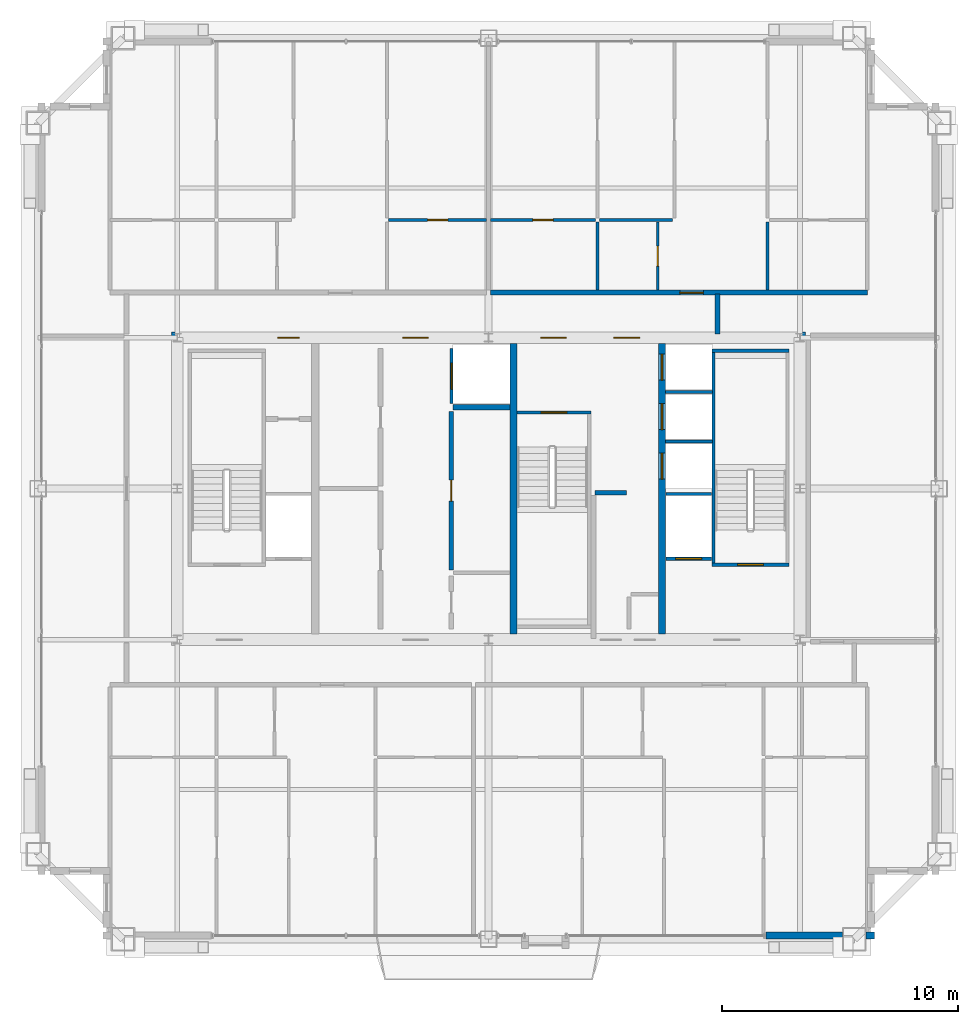
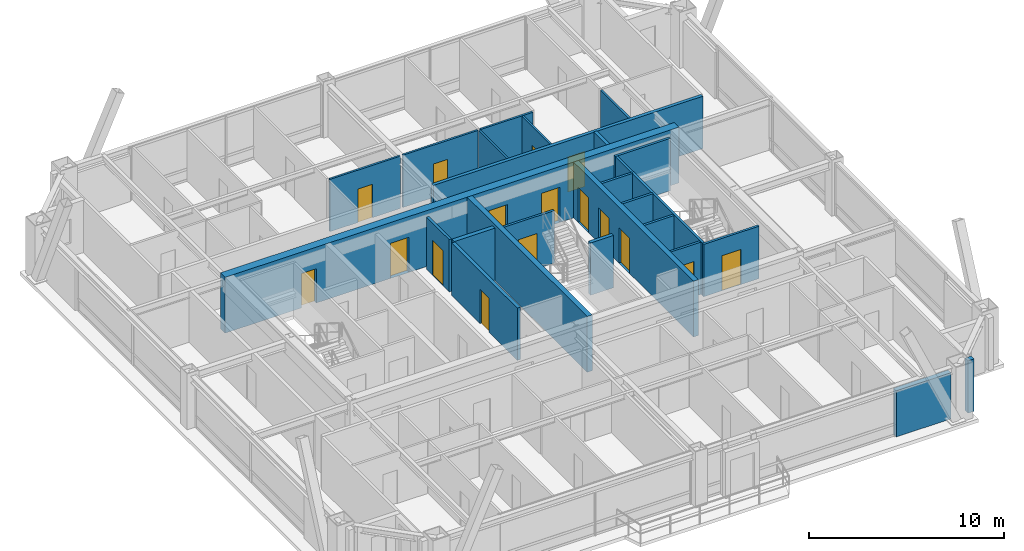
# One storey, part 32 of 35: 25 walls, 16 doors, 16 openings.
"""IFC4 building model written with IfcOpenShell, lengths in metres."""

from ifc_helpers import new_model, si_unit, direction, frame, frame_2d, origin, place, context, subcontext, project, spatial, rectangle, extrude, source, transform, mapped, material, layer, layer_set, type_object, element, fill, save


model = new_model("IFC4")

# Units and contexts
model_context = context("Model", 3, precision=1e-05, world=origin(), true_north=direction((0.0, 1.0)))
body_context = subcontext(model_context, "Body", "Model", "MODEL_VIEW")
ifc_project = project(units=[si_unit("LENGTHUNIT", "METRE"), si_unit("AREAUNIT", "SQUARE_METRE"), si_unit("VOLUMEUNIT", "CUBIC_METRE"), si_unit("PLANEANGLEUNIT", "RADIAN"), si_unit("MASSUNIT", "GRAM", prefix="KILO"), si_unit("THERMODYNAMICTEMPERATUREUNIT", "KELVIN"), si_unit("POWERUNIT", "WATT")], contexts=[model_context])

# Site, building, storey
site_placement = place(None, origin())
site = spatial("IfcSite", under=ifc_project, at=site_placement, CompositionType="ELEMENT")
building_placement = place(site_placement, origin())
building = spatial("IfcBuilding", under=site, at=building_placement, Name="Yuzanri Waterfront Tower", CompositionType="ELEMENT")
storey_placement = place(building_placement, frame((0.0, 0.0, 299.60009765625)))
storey = spatial("IfcBuildingStorey", under=building, at=storey_placement, Name="L80", CompositionType="ELEMENT", Elevation=299.60009765625)

# Wall, opening, door
ifc_material_1 = material(Name="Moisture-Resistant Gypsum Stud Wall", Category="gypsum")
ifc_layer_1 = layer(ifc_material_1, 0.1201171875)
ifc_layer_set_1 = layer_set([ifc_layer_1], Name="Moisture-Resistant Gypsum Stud Wall")
wall_type_1 = type_object("IfcWallType", Name="Bathroom and Kitchen Wet Partition 120", PredefinedType="PARTITIONING", material=ifc_layer_set_1)
wall_1_placement = place(storey_placement, frame((32.764892578125, 37.18994140625, 0.0), z_axis=(0.0, 0.0, 1.0), x_axis=(1.0, 0.0, 0.0)))
wall_1 = element("IfcWall", 1, at=wall_1_placement, inside=storey, type_object=wall_type_1, Name="L80 Partition UW-L80-HN1-SUB-3-N", PredefinedType="PARTITIONING", context=body_context, shape_type="SweptSolid", body=[
    extrude(rectangle(XDim=4.155029296875, YDim=0.1201171875, at=frame_2d((2.07763671875, 0.0))), origin(), (0.0, 0.0, 1.0), 3.27978515625),
])
opening_1_placement = place(wall_1_placement, frame((1.652587890625, 0.0, 0.0)))
opening_1 = element("IfcOpeningElement", 2, at=opening_1_placement, cuts=wall_1, Name="Opening ID-0850", PredefinedType="OPENING", context=body_context, shape_type="SweptSolid", body=[
    extrude(rectangle(XDim=0.85009765625, YDim=2.10009765625, at=frame_2d((0.425048828125, 1.050048828125))), frame((0.0, 0.074951171875, 0.0), z_axis=(0.0, -1.0, 0.0), x_axis=(1.0, 0.0, 0.0)), (0.0, 0.0, 1.0), 0.14990234375),
])
ifc_material_2 = material(Name="Moisture-Resistant Lacquered Timber", Category="wood")
door_type_1 = type_object("IfcDoorType", Name="En-Suite Bathroom and Kitchen Swing Door 850x2100", OperationType="NOTDEFINED", PredefinedType="DOOR", material=ifc_material_2)
shared_shape_1 = source(origin(), body_context, "Body", "SweptSolid", [
    extrude(rectangle(XDim=0.85009765625, YDim=2.10009765625, at=frame_2d((0.425048828125, 1.050048828125))), frame((0.0, 0.02490234375, 0.0), z_axis=(0.0, -1.0, 0.0), x_axis=(1.0, 0.0, 0.0)), (0.0, 0.0, 1.0), 0.050048828125),
])
door_1_placement = place(opening_1_placement, origin())
door_1 = element("IfcDoor", 3, at=door_1_placement, inside=storey, type_object=door_type_1, Name="L80 Suite Interior Room Door", OperationType="SINGLE_SWING_LEFT", OverallHeight=2.10009765625, OverallWidth=0.85009765625, PredefinedType="DOOR", context=body_context, shape_type="MappedRepresentation", body=[
    mapped(shared_shape_1, transform((0.0, 0.0, 0.0), scale=1.0)),
])
fill(opening_1, door_1)

wall_2_placement = place(storey_placement, frame((37.080078125, 37.18994140625, 0.0), z_axis=(0.0, 0.0, 1.0), x_axis=(1.0, 0.0, 0.0)))
wall_2 = element("IfcWall", 4, at=wall_2_placement, inside=storey, type_object=wall_type_1, Name="L80 Partition UW-L80-HN2-SUB-1-N", PredefinedType="PARTITIONING", context=body_context, shape_type="SweptSolid", body=[
    extrude(rectangle(XDim=4.449951171875, YDim=0.1201171875, at=frame_2d((2.22509765625, 0.0))), origin(), (0.0, 0.0, 1.0), 3.27978515625),
])
opening_2_placement = place(wall_2_placement, frame((1.800048828125, 0.0, 0.0)))
opening_2 = element("IfcOpeningElement", 5, at=opening_2_placement, cuts=wall_2, Name="Opening ID-0850", PredefinedType="OPENING", context=body_context, shape_type="SweptSolid", body=[
    extrude(rectangle(XDim=0.85009765625, YDim=2.10009765625, at=frame_2d((0.425048828125, 1.050048828125))), frame((0.0, 0.074951171875, 0.0), z_axis=(0.0, -1.0, 0.0), x_axis=(1.0, 0.0, 0.0)), (0.0, 0.0, 1.0), 0.14990234375),
])
door_2_placement = place(opening_2_placement, origin())
door_2 = element("IfcDoor", 6, at=door_2_placement, inside=storey, type_object=door_type_1, Name="L80 Suite Interior Room Door", OperationType="SINGLE_SWING_RIGHT", OverallHeight=2.10009765625, OverallWidth=0.85009765625, PredefinedType="DOOR", context=body_context, shape_type="MappedRepresentation", body=[
    mapped(shared_shape_1, transform((0.0, 0.0, 0.0), scale=1.0)),
])
fill(opening_2, door_2)

wall_3_placement = place(storey_placement, frame((44.169921875, 34.2099609375, 0.0), z_axis=(0.0, 0.0, 1.0), x_axis=(0.0, 1.0, 0.0)))
wall_3 = element("IfcWall", 7, at=wall_3_placement, inside=storey, type_object=wall_type_1, Name="L80 Partition UW-L80-HN2-SUB-2-E", PredefinedType="PARTITIONING", context=body_context, shape_type="SweptSolid", body=[
    extrude(rectangle(XDim=2.900146484375, YDim=0.1201171875, at=frame_2d((1.4501953125, 0.0))), origin(), (0.0, 0.0, 1.0), 3.27978515625),
])
opening_3_placement = place(wall_3_placement, frame((1.02490234375, 0.0, 0.0)))
opening_3 = element("IfcOpeningElement", 8, at=opening_3_placement, cuts=wall_3, Name="Opening ID-0850", PredefinedType="OPENING", context=body_context, shape_type="SweptSolid", body=[
    extrude(rectangle(XDim=0.85009765625, YDim=2.10009765625, at=frame_2d((0.425048828125, 1.050048828125))), frame((0.0, 0.074951171875, 0.0), z_axis=(0.0, -1.0, 0.0), x_axis=(1.0, 0.0, 0.0)), (0.0, 0.0, 1.0), 0.14990234375),
])
door_3_placement = place(opening_3_placement, origin())
door_3 = element("IfcDoor", 9, at=door_3_placement, inside=storey, type_object=door_type_1, Name="L80 Suite Interior Room Door", OperationType="SINGLE_SWING_LEFT", OverallHeight=2.10009765625, OverallWidth=0.85009765625, PredefinedType="DOOR", context=body_context, shape_type="MappedRepresentation", body=[
    mapped(shared_shape_1, transform((0.0, 0.0, 0.0), scale=1.0)),
])
fill(opening_3, door_3)

# Wall, openings, doors
ifc_material_3 = material(Name="Concrete C45", Category="concrete")
ifc_layer_2 = layer(ifc_material_3, 0.47998046875)
ifc_layer_set_2 = layer_set([ifc_layer_2], Name="Concrete C45")
wall_type_2 = type_object("IfcWallType", Name="Concrete C45 High-Rise Core Shear Wall 480", PredefinedType="SHEAR", material=ifc_layer_set_2)
wall_4_placement = place(storey_placement, frame((23.56005859375, 32.199951171875, 0.0), z_axis=(0.0, 0.0, 1.0), x_axis=(1.0, 0.0, 0.0)))
wall_4 = element("IfcWall", 10, at=wall_4_placement, inside=storey, type_object=wall_type_2, Name="L80 Core North Shear Wall", PredefinedType="SHEAR", context=body_context, shape_type="SweptSolid", body=[
    extrude(rectangle(XDim=26.8798828125, YDim=0.47998046875, at=frame_2d((13.43994140625, 0.0))), origin(), (0.0, 0.0, 1.0), 3.5),
])
opening_4_placement = place(wall_4_placement, frame((4.510009765625, 0.0, 0.0)))
opening_4 = element("IfcOpeningElement", 11, at=opening_4_placement, cuts=wall_4, Name="Opening FD-0900", PredefinedType="OPENING", context=body_context, shape_type="SweptSolid", body=[
    extrude(rectangle(XDim=0.89990234375, YDim=2.14990234375, at=frame_2d((0.449951171875, 1.074951171875))), frame((0.0, 0.2548828125, 0.0), z_axis=(0.0, -1.0, 0.0), x_axis=(1.0, 0.0, 0.0)), (0.0, 0.0, 1.0), 0.509765625),
])
opening_5_placement = place(wall_4_placement, frame((9.7900390625, 0.0, 0.0)))
opening_5 = element("IfcOpeningElement", 12, at=opening_5_placement, cuts=wall_4, Name="Opening FD-1100", PredefinedType="OPENING", context=body_context, shape_type="SweptSolid", body=[
    extrude(rectangle(XDim=1.10009765625, YDim=2.199951171875, at=frame_2d((0.550048828125, 1.10009765625))), frame((0.0, 0.2548828125, 0.0), z_axis=(0.0, -1.0, 0.0), x_axis=(1.0, 0.0, 0.0)), (0.0, 0.0, 1.0), 0.509765625),
])
opening_6_placement = place(wall_4_placement, frame((15.639892578125, 0.0, 0.0)))
opening_6 = element("IfcOpeningElement", 13, at=opening_6_placement, cuts=wall_4, Name="Opening FD-1100", PredefinedType="OPENING", context=body_context, shape_type="SweptSolid", body=[
    extrude(rectangle(XDim=1.10009765625, YDim=2.199951171875, at=frame_2d((0.550048828125, 1.10009765625))), frame((0.0, 0.2548828125, 0.0), z_axis=(0.0, -1.0, 0.0), x_axis=(1.0, 0.0, 0.0)), (0.0, 0.0, 1.0), 0.509765625),
])
opening_7_placement = place(wall_4_placement, frame((18.739990234375, 0.0, 0.0)))
opening_7 = element("IfcOpeningElement", 14, at=opening_7_placement, cuts=wall_4, Name="Opening FD-1100", PredefinedType="OPENING", context=body_context, shape_type="SweptSolid", body=[
    extrude(rectangle(XDim=1.10009765625, YDim=2.199951171875, at=frame_2d((0.550048828125, 1.10009765625))), frame((0.0, 0.2548828125, 0.0), z_axis=(0.0, -1.0, 0.0), x_axis=(1.0, 0.0, 0.0)), (0.0, 0.0, 1.0), 0.509765625),
])
ifc_material_4 = material(Name="Painted Galvanized Fire Steel", Category="steel")
door_type_2 = type_object("IfcDoorType", Name="Smoke-Proof Stair and Lobby Fire Door 1100x2200", OperationType="NOTDEFINED", PredefinedType="DOOR", material=ifc_material_4)
shared_shape_2 = source(origin(), body_context, "Body", "SweptSolid", [
    extrude(rectangle(XDim=1.10009765625, YDim=2.199951171875, at=frame_2d((0.550048828125, 1.10009765625))), frame((0.0, 0.02490234375, 0.0), z_axis=(0.0, -1.0, 0.0), x_axis=(1.0, 0.0, 0.0)), (0.0, 0.0, 1.0), 0.050048828125),
])
door_4_placement = place(opening_5_placement, origin())
door_4 = element("IfcDoor", 15, at=door_4_placement, inside=storey, type_object=door_type_2, Name="L80 Central Lift Lobby North Door", OperationType="SINGLE_SWING_LEFT", OverallHeight=2.199951171875, OverallWidth=1.10009765625, PredefinedType="DOOR", context=body_context, shape_type="MappedRepresentation", body=[
    mapped(shared_shape_2, transform((0.0, 0.0, 0.0), scale=1.0)),
])
fill(opening_5, door_4)
door_5_placement = place(opening_6_placement, origin())
door_5 = element("IfcDoor", 16, at=door_5_placement, inside=storey, type_object=door_type_2, Name="L80 North Stair Lobby Door", OperationType="SINGLE_SWING_RIGHT", OverallHeight=2.199951171875, OverallWidth=1.10009765625, PredefinedType="DOOR", context=body_context, shape_type="MappedRepresentation", body=[
    mapped(shared_shape_2, transform((0.0, 0.0, 0.0), scale=1.0)),
])
fill(opening_6, door_5)
door_6_placement = place(opening_7_placement, origin())
door_6 = element("IfcDoor", 17, at=door_6_placement, inside=storey, type_object=door_type_2, Name="L80 High-Rise Lift Lobby North Door", OperationType="SINGLE_SWING_LEFT", OverallHeight=2.199951171875, OverallWidth=1.10009765625, PredefinedType="DOOR", context=body_context, shape_type="MappedRepresentation", body=[
    mapped(shared_shape_2, transform((0.0, 0.0, 0.0), scale=1.0)),
])
fill(opening_7, door_6)
ifc_material_5 = material(Name="Painted Galvanized Fire Steel", Category="steel")
door_type_3 = type_object("IfcDoorType", Name="Riser and Service Room Fire Door 900x2150", OperationType="NOTDEFINED", PredefinedType="DOOR", material=ifc_material_5)
shared_shape_3 = source(origin(), body_context, "Body", "SweptSolid", [
    extrude(rectangle(XDim=0.89990234375, YDim=2.14990234375, at=frame_2d((0.449951171875, 1.074951171875))), frame((0.0, 0.02490234375, 0.0), z_axis=(0.0, -1.0, 0.0), x_axis=(1.0, 0.0, 0.0)), (0.0, 0.0, 1.0), 0.050048828125),
])
door_7_placement = place(opening_4_placement, origin())
door_7 = element("IfcDoor", 18, at=door_7_placement, inside=storey, type_object=door_type_3, Name="L80 Telecom Riser Door", OperationType="SINGLE_SWING_RIGHT", OverallHeight=2.14990234375, OverallWidth=0.89990234375, PredefinedType="DOOR", context=body_context, shape_type="MappedRepresentation", body=[
    mapped(shared_shape_3, transform((0.0, 0.0, 0.0), scale=1.0)),
])
fill(opening_4, door_7)

ifc_material_6 = material(Name="Concrete C50", Category="concrete")
ifc_layer_3 = layer(ifc_material_6, 0.300048828125)
ifc_layer_set_3 = layer_set([ifc_layer_3], Name="Concrete C50")
wall_type_3 = type_object("IfcWallType", Name="Concrete C50 Internal Core Shaft Structural Wall 300", PredefinedType="SOLIDWALL", material=ifc_layer_set_3)
wall_5_placement = place(storey_placement, frame((44.35009765625, 19.639892578125, 0.0), z_axis=(0.0, 0.0, 1.0), x_axis=(0.0, 1.0, 0.0)))
wall_5 = element("IfcWall", 19, at=wall_5_placement, inside=storey, type_object=wall_type_3, Name="L80 Core Internal Structural Web Wall 3", PredefinedType="SOLIDWALL", context=body_context, shape_type="SweptSolid", body=[
    extrude(rectangle(XDim=12.320068359375, YDim=0.300048828125, at=frame_2d((6.16015625, 0.0))), origin(), (0.0, 0.0, 1.0), 3.5),
])
opening_8_placement = place(wall_5_placement, frame((6.56005859375, 0.0, 0.0)))
opening_8 = element("IfcOpeningElement", 20, at=opening_8_placement, cuts=wall_5, Name="Opening LD-PL-09", PredefinedType="OPENING", context=body_context, shape_type="SweptSolid", body=[
    extrude(rectangle(XDim=1.10009765625, YDim=2.199951171875, at=frame_2d((0.550048828125, 1.10009765625))), frame((0.0, 0.1650390625, 0.0), z_axis=(0.0, -1.0, 0.0), x_axis=(1.0, 0.0, 0.0)), (0.0, 0.0, 1.0), 0.329833984375),
])
opening_9_placement = place(wall_5_placement, frame((8.659912109375, 0.0, 0.0)))
opening_9 = element("IfcOpeningElement", 21, at=opening_9_placement, cuts=wall_5, Name="Opening LD-PL-10", PredefinedType="OPENING", context=body_context, shape_type="SweptSolid", body=[
    extrude(rectangle(XDim=1.10009765625, YDim=2.199951171875, at=frame_2d((0.550048828125, 1.10009765625))), frame((0.0, 0.1650390625, 0.0), z_axis=(0.0, -1.0, 0.0), x_axis=(1.0, 0.0, 0.0)), (0.0, 0.0, 1.0), 0.329833984375),
])
opening_10_placement = place(wall_5_placement, frame((10.760009765625, 0.0, 0.0)))
opening_10 = element("IfcOpeningElement", 22, at=opening_10_placement, cuts=wall_5, Name="Opening LD-PL-11", PredefinedType="OPENING", context=body_context, shape_type="SweptSolid", body=[
    extrude(rectangle(XDim=1.10009765625, YDim=2.199951171875, at=frame_2d((0.550048828125, 1.10009765625))), frame((0.0, 0.1650390625, 0.0), z_axis=(0.0, -1.0, 0.0), x_axis=(1.0, 0.0, 0.0)), (0.0, 0.0, 1.0), 0.329833984375),
])
ifc_material_7 = material(Name="Brushed Bronze and Stainless Steel Cab", Category="steel")
door_type_4 = type_object("IfcDoorType", Name="Center-Parting Bronze Lift Landing Sliding Door 1100x2200", OperationType="NOTDEFINED", PredefinedType="DOOR", material=ifc_material_7)
shared_shape_4 = source(origin(), body_context, "Body", "SweptSolid", [
    extrude(rectangle(XDim=1.10009765625, YDim=2.199951171875, at=frame_2d((0.550048828125, 1.10009765625))), frame((0.0, 0.02490234375, 0.0), z_axis=(0.0, -1.0, 0.0), x_axis=(1.0, 0.0, 0.0)), (0.0, 0.0, 1.0), 0.050048828125),
])
door_8_placement = place(opening_8_placement, origin())
door_8 = element("IfcDoor", 23, at=door_8_placement, inside=storey, type_object=door_type_4, Name="L80 PL-09 Lift Landing Sliding Door", OperationType="SLIDING_TO_LEFT", OverallHeight=2.199951171875, OverallWidth=1.10009765625, PredefinedType="DOOR", context=body_context, shape_type="MappedRepresentation", body=[
    mapped(shared_shape_4, transform((0.0, 0.0, 0.0), scale=1.0)),
])
fill(opening_8, door_8)
door_9_placement = place(opening_9_placement, origin())
door_9 = element("IfcDoor", 24, at=door_9_placement, inside=storey, type_object=door_type_4, Name="L80 PL-10 Lift Landing Sliding Door", OperationType="SLIDING_TO_RIGHT", OverallHeight=2.199951171875, OverallWidth=1.10009765625, PredefinedType="DOOR", context=body_context, shape_type="MappedRepresentation", body=[
    mapped(shared_shape_4, transform((0.0, 0.0, 0.0), scale=1.0)),
])
fill(opening_9, door_9)
door_10_placement = place(opening_10_placement, origin())
door_10 = element("IfcDoor", 25, at=door_10_placement, inside=storey, type_object=door_type_4, Name="L80 PL-11 Lift Landing Sliding Door", OperationType="SLIDING_TO_LEFT", OverallHeight=2.199951171875, OverallWidth=1.10009765625, PredefinedType="DOOR", context=body_context, shape_type="MappedRepresentation", body=[
    mapped(shared_shape_4, transform((0.0, 0.0, 0.0), scale=1.0)),
])
fill(opening_10, door_10)

# Wall, opening, door
ifc_material_8 = material(Name="Concrete C40", Category="concrete")
ifc_layer_4 = layer(ifc_material_8, 0.139892578125)
ifc_layer_set_4 = layer_set([ifc_layer_4], Name="Concrete C40")
wall_type_4 = type_object("IfcWallType", Name="Core Stair Liner and Hoistway Shaft Wall 140", PredefinedType="SOLIDWALL", material=ifc_layer_set_4)
wall_6_placement = place(storey_placement, frame((44.52001953125, 22.830078125, 0.0), z_axis=(0.0, 0.0, 1.0), x_axis=(1.0, 0.0, 0.0)))
wall_6 = element("IfcWall", 26, at=wall_6_placement, inside=storey, type_object=wall_type_4, Name="L80 Lift FL-02 Front Shaft Wall", PredefinedType="SOLIDWALL", context=body_context, shape_type="SweptSolid", body=[
    extrude(rectangle(XDim=1.919921875, YDim=0.139892578125, at=frame_2d((0.9599609375, 0.0))), origin(), (0.0, 0.0, 1.0), 3.27978515625),
])
opening_11_placement = place(wall_6_placement, frame((0.409912109375, 0.0, 0.0)))
opening_11 = element("IfcOpeningElement", 27, at=opening_11_placement, cuts=wall_6, Name="Opening LD-FL-02", PredefinedType="OPENING", context=body_context, shape_type="SweptSolid", body=[
    extrude(rectangle(XDim=1.10009765625, YDim=2.199951171875, at=frame_2d((0.550048828125, 1.10009765625))), frame((0.0, 0.0849609375, 0.0), z_axis=(0.0, -1.0, 0.0), x_axis=(1.0, 0.0, 0.0)), (0.0, 0.0, 1.0), 0.169677734375),
])
door_11_placement = place(opening_11_placement, origin())
door_11 = element("IfcDoor", 28, at=door_11_placement, inside=storey, type_object=door_type_4, Name="L80 FL-02 Lift Landing Sliding Door", OperationType="SLIDING_TO_RIGHT", OverallHeight=2.199951171875, OverallWidth=1.10009765625, PredefinedType="DOOR", context=body_context, shape_type="MappedRepresentation", body=[
    mapped(shared_shape_4, transform((0.0, 0.0, 0.0), scale=1.0)),
])
fill(opening_11, door_11)

wall_7_placement = place(storey_placement, frame((35.429931640625, 29.39990234375, 0.0), z_axis=(0.0, 0.0, 1.0), x_axis=(0.0, 1.0, 0.0)))
wall_7 = element("IfcWall", 29, at=wall_7_placement, inside=storey, type_object=wall_type_4, Name="L80 Lift SL-02 Front Shaft Wall", PredefinedType="SOLIDWALL", context=body_context, shape_type="SweptSolid", body=[
    extrude(rectangle(XDim=2.340087890625, YDim=0.139892578125, at=frame_2d((1.169921875, 0.0))), origin(), (0.0, 0.0, 1.0), 3.27978515625),
])
opening_12_placement = place(wall_7_placement, frame((0.6201171875, 0.0, 0.0)))
opening_12 = element("IfcOpeningElement", 30, at=opening_12_placement, cuts=wall_7, Name="Opening LD-SL-02", PredefinedType="OPENING", context=body_context, shape_type="SweptSolid", body=[
    extrude(rectangle(XDim=1.10009765625, YDim=2.199951171875, at=frame_2d((0.550048828125, 1.10009765625))), frame((0.0, 0.0849609375, 0.0), z_axis=(0.0, -1.0, 0.0), x_axis=(1.0, 0.0, 0.0)), (0.0, 0.0, 1.0), 0.169677734375),
])
door_12_placement = place(opening_12_placement, origin())
door_12 = element("IfcDoor", 31, at=door_12_placement, inside=storey, type_object=door_type_4, Name="L80 SL-02 Lift Landing Sliding Door", OperationType="SLIDING_TO_RIGHT", OverallHeight=2.199951171875, OverallWidth=1.10009765625, PredefinedType="DOOR", context=body_context, shape_type="MappedRepresentation", body=[
    mapped(shared_shape_4, transform((0.0, 0.0, 0.0), scale=1.0)),
])
fill(opening_12, door_12)

wall_8_placement = place(storey_placement, frame((46.4599609375, 22.570068359375, 0.0), z_axis=(0.0, 0.0, 1.0), x_axis=(1.0, 0.0, 0.0)))
wall_8 = element("IfcWall", 32, at=wall_8_placement, inside=storey, type_object=wall_type_4, Name="L80 Shaft Wall STW-L80-ST-02-S", PredefinedType="SOLIDWALL", context=body_context, shape_type="SweptSolid", body=[
    extrude(rectangle(XDim=3.280029296875, YDim=0.139892578125, at=frame_2d((1.64013671875, 0.0))), origin(), (0.0, 0.0, 1.0), 3.27978515625),
])
opening_13_placement = place(wall_8_placement, frame((1.090087890625, 0.0, 0.0)))
opening_13 = element("IfcOpeningElement", 33, at=opening_13_placement, cuts=wall_8, Name="Opening FD-1100", PredefinedType="OPENING", context=body_context, shape_type="SweptSolid", body=[
    extrude(rectangle(XDim=1.10009765625, YDim=2.199951171875, at=frame_2d((0.550048828125, 1.10009765625))), frame((0.0, 0.0849609375, 0.0), z_axis=(0.0, -1.0, 0.0), x_axis=(1.0, 0.0, 0.0)), (0.0, 0.0, 1.0), 0.169677734375),
])
door_13_placement = place(opening_13_placement, origin())
door_13 = element("IfcDoor", 34, at=door_13_placement, inside=storey, type_object=door_type_2, Name="L80 Stair ST-02 Fire Door", OperationType="SINGLE_SWING_LEFT", OverallHeight=2.199951171875, OverallWidth=1.10009765625, PredefinedType="DOOR", context=body_context, shape_type="MappedRepresentation", body=[
    mapped(shared_shape_2, transform((0.0, 0.0, 0.0), scale=1.0)),
])
fill(opening_13, door_13)

wall_9_placement = place(storey_placement, frame((38.199951171875, 29.030029296875, 0.0), z_axis=(0.0, 0.0, 1.0), x_axis=(1.0, 0.0, 0.0)))
wall_9 = element("IfcWall", 35, at=wall_9_placement, inside=storey, type_object=wall_type_4, Name="L80 Shaft Wall STW-L80-ST-03-N", PredefinedType="SOLIDWALL", context=body_context, shape_type="SweptSolid", body=[
    extrude(rectangle(XDim=3.14013671875, YDim=0.139892578125, at=frame_2d((1.570068359375, 0.0))), origin(), (0.0, 0.0, 1.0), 3.27978515625),
])
opening_14_placement = place(wall_9_placement, frame((1.02001953125, 0.0, 0.0)))
opening_14 = element("IfcOpeningElement", 36, at=opening_14_placement, cuts=wall_9, Name="Opening FD-1100", PredefinedType="OPENING", context=body_context, shape_type="SweptSolid", body=[
    extrude(rectangle(XDim=1.10009765625, YDim=2.199951171875, at=frame_2d((0.550048828125, 1.10009765625))), frame((0.0, 0.0849609375, 0.0), z_axis=(0.0, -1.0, 0.0), x_axis=(1.0, 0.0, 0.0)), (0.0, 0.0, 1.0), 0.169677734375),
])
door_14_placement = place(opening_14_placement, origin())
door_14 = element("IfcDoor", 37, at=door_14_placement, inside=storey, type_object=door_type_2, Name="L80 Stair ST-03 Fire Door", OperationType="SINGLE_SWING_RIGHT", OverallHeight=2.199951171875, OverallWidth=1.10009765625, PredefinedType="DOOR", context=body_context, shape_type="MappedRepresentation", body=[
    mapped(shared_shape_2, transform((0.0, 0.0, 0.0), scale=1.0)),
])
fill(opening_14, door_14)

ifc_material_9 = material(Name="Autoclaved Aerated Concrete Blockwork", Category="masonry")
ifc_layer_5 = layer(ifc_material_9, 0.199951171875)
ifc_layer_set_5 = layer_set([ifc_layer_5], Name="Autoclaved Aerated Concrete Blockwork")
wall_type_5 = type_object("IfcWallType", Name="Corridor and Unit Party Fire Wall 200", PredefinedType="PARTITIONING", material=ifc_layer_set_5)
wall_10_placement = place(storey_placement, frame((35.419921875, 22.35009765625, 0.0), z_axis=(0.0, 0.0, 1.0), x_axis=(0.0, 1.0, 0.0)))
wall_10 = element("IfcWall", 38, at=wall_10_placement, inside=storey, type_object=wall_type_5, Name="L80 Partition CRW-L80-B2R-2", PredefinedType="PARTITIONING", context=body_context, shape_type="SweptSolid", body=[
    extrude(rectangle(XDim=6.72998046875, YDim=0.199951171875, at=frame_2d((3.364990234375, 0.0))), origin(), (0.0, 0.0, 1.0), 3.27978515625),
])
opening_15_placement = place(wall_10_placement, frame((2.9150390625, 0.0, 0.0)))
opening_15 = element("IfcOpeningElement", 39, at=opening_15_placement, cuts=wall_10, Name="Opening FD-0900", PredefinedType="OPENING", context=body_context, shape_type="SweptSolid", body=[
    extrude(rectangle(XDim=0.89990234375, YDim=2.14990234375, at=frame_2d((0.449951171875, 1.074951171875))), frame((0.0, 0.11474609375, 0.0), z_axis=(0.0, -1.0, 0.0), x_axis=(1.0, 0.0, 0.0)), (0.0, 0.0, 1.0), 0.229736328125),
])
door_15_placement = place(opening_15_placement, origin())
door_15 = element("IfcDoor", 40, at=door_15_placement, inside=storey, type_object=door_type_3, Name="L80 Upper Linen Store Room", OperationType="SINGLE_SWING_RIGHT", OverallHeight=2.14990234375, OverallWidth=0.89990234375, PredefinedType="DOOR", context=body_context, shape_type="MappedRepresentation", body=[
    mapped(shared_shape_3, transform((0.0, 0.0, 0.0), scale=1.0)),
])
fill(opening_15, door_15)

wall_11_placement = place(storey_placement, frame((37.080078125, 34.110107421875, 0.0), z_axis=(0.0, 0.0, 1.0), x_axis=(1.0, 0.0, 0.0)))
wall_11 = element("IfcWall", 41, at=wall_11_placement, inside=storey, type_object=wall_type_5, Name="L80 Partition UW-L80-HN2-CS", PredefinedType="PARTITIONING", context=body_context, shape_type="SweptSolid", body=[
    extrude(rectangle(XDim=15.97998046875, YDim=0.199951171875, at=frame_2d((7.989990234375, 0.0))), origin(), (0.0, 0.0, 1.0), 3.27978515625),
])
opening_16_placement = place(wall_11_placement, frame((8.02197265625, 0.0, 0.0)))
opening_16 = element("IfcOpeningElement", 42, at=opening_16_placement, cuts=wall_11, Name="Opening FD-1000", PredefinedType="OPENING", context=body_context, shape_type="SweptSolid", body=[
    extrude(rectangle(XDim=1.0, YDim=2.199951171875, at=frame_2d((0.5, 1.10009765625))), frame((0.0, 0.11474609375, 0.0), z_axis=(0.0, -1.0, 0.0), x_axis=(1.0, 0.0, 0.0)), (0.0, 0.0, 1.0), 0.229736328125),
])
ifc_material_10 = material(Name="Engineered Oak Fire-Rated Timber", Category="wood")
door_type_5 = type_object("IfcDoorType", Name="Guestroom and Apartment Entrance Fire Door 1000x2200", OperationType="NOTDEFINED", PredefinedType="DOOR", material=ifc_material_10)
shared_shape_5 = source(origin(), body_context, "Body", "SweptSolid", [
    extrude(rectangle(XDim=1.0, YDim=2.199951171875, at=frame_2d((0.5, 1.10009765625))), frame((0.0, 0.02490234375, 0.0), z_axis=(0.0, -1.0, 0.0), x_axis=(1.0, 0.0, 0.0)), (0.0, 0.0, 1.0), 0.050048828125),
])
door_16_placement = place(opening_16_placement, origin())
door_16 = element("IfcDoor", 43, at=door_16_placement, inside=storey, type_object=door_type_5, Name="L80 Apartment Living and Dining Salon Entrance Door", OperationType="SINGLE_SWING_LEFT", OverallHeight=2.199951171875, OverallWidth=1.0, PredefinedType="DOOR", context=body_context, shape_type="MappedRepresentation", body=[
    mapped(shared_shape_5, transform((0.0, 0.0, 0.0), scale=1.0)),
])
fill(opening_16, door_16)

# Walls
shared_shape_6 = source(origin(), body_context, "Body", "SweptSolid", [
    extrude(rectangle(XDim=12.320068359375, YDim=0.300048828125, at=frame_2d((6.16015625, 0.0))), origin(), (0.0, 0.0, 1.0), 3.5),
])
wall_12_placement = place(storey_placement, frame((38.050048828125, 19.639892578125, 0.0), z_axis=(0.0, 0.0, 1.0), x_axis=(0.0, 1.0, 0.0)))
element("IfcWall", 44, at=wall_12_placement, inside=storey, type_object=wall_type_3, Name="L80 Core Internal Structural Web Wall 2", PredefinedType="SOLIDWALL", context=body_context, shape_type="MappedRepresentation", body=[
    mapped(shared_shape_6, transform((0.0, 0.0, 0.0), scale=1.0)),
])
ifc_material_11 = material(Name="Honed Chongqing Dark Basalt Stone", Category="masonry")
ifc_layer_6 = layer(ifc_material_11, 0.300048828125)
ifc_layer_set_6 = layer_set([ifc_layer_6], Name="Honed Chongqing Dark Basalt Stone")
wall_type_6 = type_object("IfcWallType", Name="Bronze Rainscreen Insulated Spandrel Portal Wall 300", PredefinedType="SOLIDWALL", material=ifc_layer_set_6)
shared_shape_7 = source(origin(), body_context, "Body", "SweptSolid", [
    extrude(rectangle(XDim=0.35009765625, YDim=0.300048828125, at=frame_2d((0.175048828125, 0.0))), origin(), (0.0, 0.0, 1.0), 3.27978515625),
])
wall_13_placement = place(storey_placement, frame((53.0, 6.85009765625, 0.0), z_axis=(0.0, 0.0, 1.0), x_axis=(1.0, 0.0, 0.0)))
element("IfcWall", 45, at=wall_13_placement, inside=storey, type_object=wall_type_6, Name="L80 Corner Column Shoulder Return CSE", PredefinedType="SOLIDWALL", context=body_context, shape_type="MappedRepresentation", body=[
    mapped(shared_shape_7, transform((0.0, 0.0, 0.0), scale=1.0)),
])
shared_shape_8 = source(origin(), body_context, "Body", "SweptSolid", [
    extrude(rectangle(XDim=3.25, YDim=0.300048828125, at=frame_2d((1.625, 0.0))), origin(), (0.0, 0.0, 1.0), 2.885009765625),
])
wall_14_placement = place(storey_placement, frame((48.75, 6.85009765625, 0.0), z_axis=(0.0, 0.0, 1.0), x_axis=(1.0, 0.0, 0.0)))
element("IfcWall", 46, at=wall_14_placement, inside=storey, type_object=wall_type_6, Name="L80 S Right Braced Masonry Shoulder", PredefinedType="SOLIDWALL", context=body_context, shape_type="MappedRepresentation", body=[
    mapped(shared_shape_8, transform((0.0, 0.0, 0.0), scale=1.0)),
])
shared_shape_9 = source(origin(), body_context, "Body", "SweptSolid", [
    extrude(rectangle(XDim=1.919921875, YDim=0.139892578125, at=frame_2d((0.9599609375, 0.0))), origin(), (0.0, 0.0, 1.0), 3.27978515625),
])
wall_15_placement = place(storey_placement, frame((44.52001953125, 25.570068359375, 0.0), z_axis=(0.0, 0.0, 1.0), x_axis=(1.0, 0.0, 0.0)))
element("IfcWall", 47, at=wall_15_placement, inside=storey, type_object=wall_type_4, Name="L80 Lift FL-02 Back Shaft Wall", PredefinedType="SOLIDWALL", context=body_context, shape_type="MappedRepresentation", body=[
    mapped(shared_shape_9, transform((0.0, 0.0, 0.0), scale=1.0)),
])
ifc_material_12 = material(Name="Concrete C40", Category="concrete")
ifc_layer_7 = layer(ifc_material_12, 0.25)
ifc_layer_set_7 = layer_set([ifc_layer_7], Name="Concrete C40")
wall_type_7 = type_object("IfcWallType", Name="Smoke-Proof Stair and Lift Shaft Wall 250", PredefinedType="SOLIDWALL", material=ifc_layer_set_7)
shared_shape_10 = source(origin(), body_context, "Body", "SweptSolid", [
    extrude(rectangle(XDim=2.39990234375, YDim=0.25, at=frame_2d((1.199951171875, 0.0))), origin(), (0.0, 0.0, 1.0), 3.27978515625),
])
wall_16_placement = place(storey_placement, frame((35.5, 29.25, 0.0), z_axis=(0.0, 0.0, 1.0), x_axis=(1.0, 0.0, 0.0)))
element("IfcWall", 48, at=wall_16_placement, inside=storey, type_object=wall_type_7, Name="L80 Lift SL-02 South Shaft Wall", PredefinedType="SOLIDWALL", context=body_context, shape_type="MappedRepresentation", body=[
    mapped(shared_shape_10, transform((0.0, 0.0, 0.0), scale=1.0)),
])
shared_shape_11 = source(origin(), body_context, "Body", "SweptSolid", [
    extrude(rectangle(XDim=2.0, YDim=0.139892578125, at=frame_2d((1.0, 0.0))), origin(), (0.0, 0.0, 1.0), 3.27978515625),
])
for number, where, z_axis, x_axis, name in (
    (49, (44.5, 27.800048828125, 0.0), (0.0, 0.0, 1.0), (1.0, 0.0, 0.0), "L80 Lift PL-09 Divider Wall"),
    (50, (44.5, 29.89990234375, 0.0), (0.0, 0.0, 1.0), (1.0, 0.0, 0.0), "L80 Lift PL-10 Divider Wall"),
):
    element("IfcWall", number, at=place(storey_placement, frame(where, z_axis=z_axis, x_axis=x_axis)), inside=storey, type_object=wall_type_4, Name=name, PredefinedType="SOLIDWALL", context=body_context, shape_type="MappedRepresentation", body=[
        mapped(shared_shape_11, transform((0.0, 0.0, 0.0), scale=1.0)),
    ])
shared_shape_12 = source(origin(), body_context, "Body", "SweptSolid", [
    extrude(rectangle(XDim=3.280029296875, YDim=0.139892578125, at=frame_2d((1.64013671875, 0.0))), origin(), (0.0, 0.0, 1.0), 3.27978515625),
])
wall_17_placement = place(storey_placement, frame((46.4599609375, 31.64990234375, 0.0), z_axis=(0.0, 0.0, 1.0), x_axis=(1.0, 0.0, 0.0)))
element("IfcWall", 51, at=wall_17_placement, inside=storey, type_object=wall_type_4, Name="L80 Stair ST-02 North Shaft Wall", PredefinedType="SOLIDWALL", context=body_context, shape_type="MappedRepresentation", body=[
    mapped(shared_shape_12, transform((0.0, 0.0, 0.0), scale=1.0)),
])
shared_shape_13 = source(origin(), body_context, "Body", "SweptSolid", [
    extrude(rectangle(XDim=8.940185546875, YDim=0.139892578125, at=frame_2d((4.47021484375, 0.0))), origin(), (0.0, 0.0, 1.0), 3.27978515625),
])
wall_18_placement = place(storey_placement, frame((46.530029296875, 22.639892578125, 0.0), z_axis=(0.0, 0.0, 1.0), x_axis=(0.0, 1.0, 0.0)))
element("IfcWall", 52, at=wall_18_placement, inside=storey, type_object=wall_type_4, Name="L80 Stair ST-02 West Shaft Wall", PredefinedType="SOLIDWALL", context=body_context, shape_type="MappedRepresentation", body=[
    mapped(shared_shape_13, transform((0.0, 0.0, 0.0), scale=1.0)),
])
shared_shape_14 = source(origin(), body_context, "Body", "SweptSolid", [
    extrude(rectangle(XDim=1.35009765625, YDim=0.199951171875, at=frame_2d((0.675048828125, 0.0))), origin(), (0.0, 0.0, 1.0), 3.27978515625),
])
wall_19_placement = place(storey_placement, frame((41.5, 25.6201171875, 0.0), z_axis=(0.0, 0.0, 1.0), x_axis=(1.0, 0.0, 0.0)))
element("IfcWall", 53, at=wall_19_placement, inside=storey, type_object=wall_type_5, Name="L80 Core BOH Split Wall 1", PredefinedType="PARTITIONING", context=body_context, shape_type="MappedRepresentation", body=[
    mapped(shared_shape_14, transform((0.0, 0.0, 0.0), scale=1.0)),
])
shared_shape_15 = source(origin(), body_context, "Body", "SweptSolid", [
    extrude(rectangle(XDim=1.699951171875, YDim=0.199951171875, at=frame_2d((0.85009765625, 0.0))), origin(), (0.0, 0.0, 1.0), 3.27978515625),
])
wall_20_placement = place(storey_placement, frame((46.699951171875, 32.35009765625, 0.0), z_axis=(0.0, 0.0, 1.0), x_axis=(0.0, 1.0, 0.0)))
element("IfcWall", 54, at=wall_20_placement, inside=storey, type_object=wall_type_5, Name="L80 North Foyer East End Wall", PredefinedType="PARTITIONING", context=body_context, shape_type="MappedRepresentation", body=[
    mapped(shared_shape_15, transform((0.0, 0.0, 0.0), scale=1.0)),
])
shared_shape_16 = source(origin(), body_context, "Body", "SweptSolid", [
    extrude(rectangle(XDim=2.900146484375, YDim=0.1201171875, at=frame_2d((1.4501953125, 0.0))), origin(), (0.0, 0.0, 1.0), 3.27978515625),
])
for number, where, z_axis, x_axis, name in (
    (55, (41.610107421875, 34.2099609375, 0.0), (0.0, 0.0, 1.0), (0.0, 1.0, 0.0), "L80 Partition UW-L80-HN2-SUB-1-E"),
    (56, (48.824951171875, 34.2099609375, 0.0), (0.0, 0.0, 1.0), (0.0, 1.0, 0.0), "L80 Partition UW-L80-HN2-SUB-3-W"),
):
    element("IfcWall", number, at=place(storey_placement, frame(where, z_axis=z_axis, x_axis=x_axis)), inside=storey, type_object=wall_type_1, Name=name, PredefinedType="PARTITIONING", context=body_context, shape_type="MappedRepresentation", body=[
        mapped(shared_shape_16, transform((0.0, 0.0, 0.0), scale=1.0)),
    ])
shared_shape_17 = source(origin(), body_context, "Body", "SweptSolid", [
    extrude(rectangle(XDim=3.10400390625, YDim=0.1201171875, at=frame_2d((1.552001953125, 0.0))), origin(), (0.0, 0.0, 1.0), 3.27978515625),
])
wall_21_placement = place(storey_placement, frame((41.68994140625, 37.18994140625, 0.0), z_axis=(0.0, 0.0, 1.0), x_axis=(1.0, 0.0, 0.0)))
element("IfcWall", 57, at=wall_21_placement, inside=storey, type_object=wall_type_1, Name="L80 Partition UW-L80-HN2-SUB-6-S", PredefinedType="PARTITIONING", context=body_context, shape_type="MappedRepresentation", body=[
    mapped(shared_shape_17, transform((0.0, 0.0, 0.0), scale=1.0)),
])

save(model, "model.ifc")
